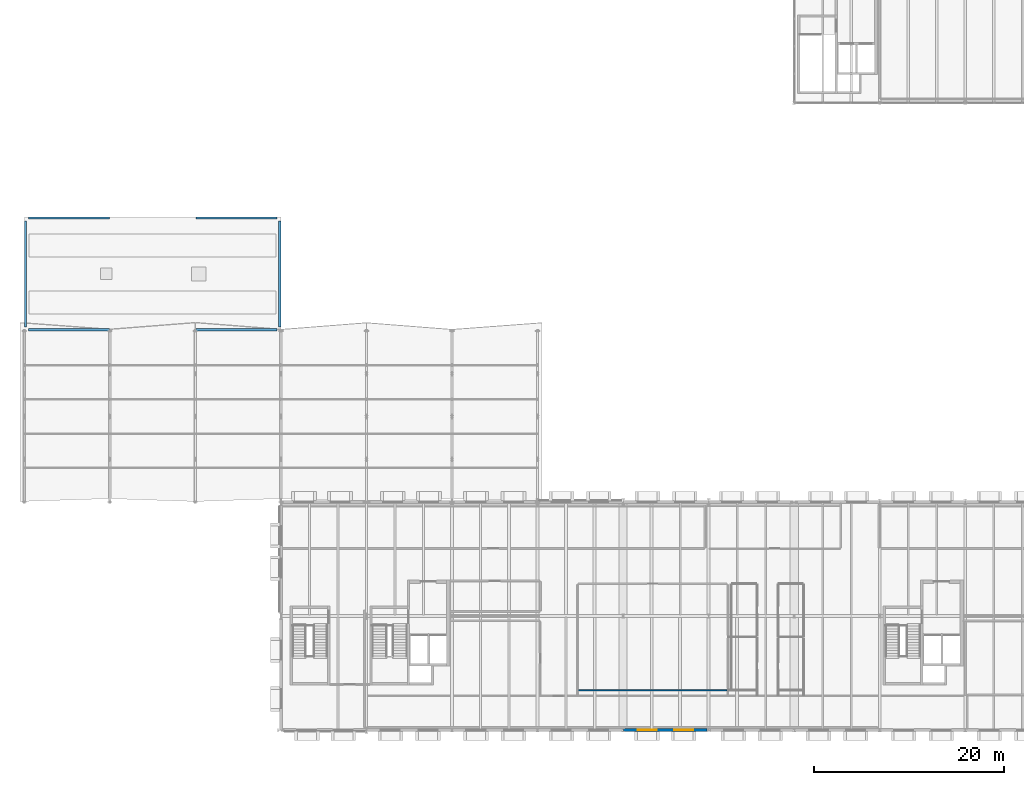
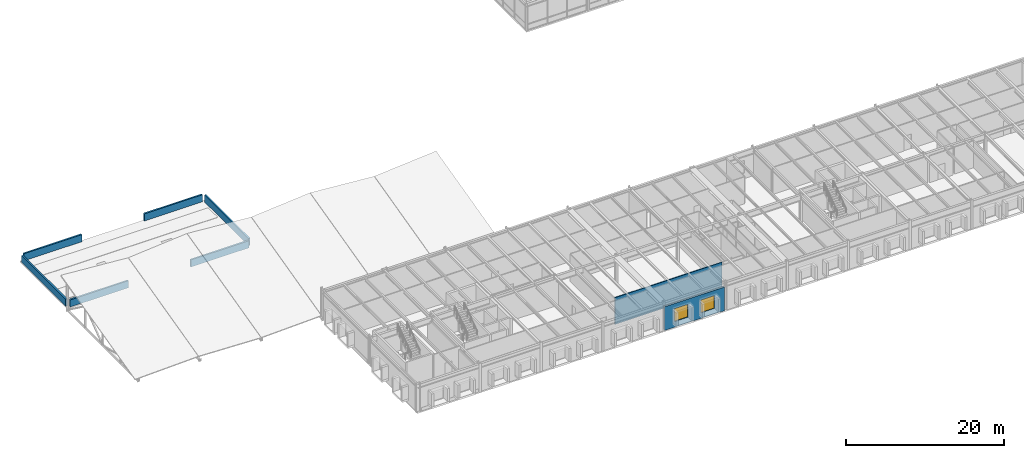
# One storey, part 56 of 67: 8 walls, 2 windows, 2 openings.
"""IFC4 building model written with IfcOpenShell, lengths in metres."""

from ifc_helpers import new_model, si_unit, direction, frame, frame_2d, origin, place, context, subcontext, project, spatial, rectangle, extrude, material, layer, layer_set, type_object, element, fill, save


model = new_model("IFC4")

# Units and contexts
model_context = context("Model", 3, precision=1e-05, world=origin(), true_north=direction((0.0, 1.0)))
body_context = subcontext(model_context, "Body", "Model", "MODEL_VIEW")
ifc_project = project(units=[si_unit("LENGTHUNIT", "METRE"), si_unit("AREAUNIT", "SQUARE_METRE"), si_unit("VOLUMEUNIT", "CUBIC_METRE"), si_unit("PLANEANGLEUNIT", "RADIAN"), si_unit("MASSUNIT", "GRAM", prefix="KILO")], contexts=[model_context])

# Site, building, storey
site_placement = place(None, origin())
site = spatial("IfcSite", under=ifc_project, at=site_placement, CompositionType="ELEMENT")
building_placement = place(site_placement, origin())
building = spatial("IfcBuilding", under=site, at=building_placement, Name="Montelvaro Courts of Justice", CompositionType="ELEMENT")
storey_placement = place(building_placement, frame((0.0, 0.0, 18.89990234375)))
storey = spatial("IfcBuildingStorey", under=building, at=storey_placement, Name="L04", CompositionType="ELEMENT", Elevation=18.89990234375)

# Wall, openings, windows
ifc_material_1 = material(Name="White mineral precast concrete C45/55", Category="concrete")
ifc_layer_1 = layer(ifc_material_1, 0.300048828125)
ifc_layer_set_1 = layer_set([ifc_layer_1], Name="White mineral precast concrete C45/55")
wall_type_1 = type_object("IfcWallType", Name="ExtWall_GFRC_300", PredefinedType="SOLIDWALL", material=ifc_layer_set_1)
wall_1_placement = place(storey_placement, frame((81.05810546875, 0.0, 0.0), z_axis=(0.0, 0.0, 1.0), x_axis=(1.0, 0.0, 0.0)))
wall_1 = element("IfcWall", 1, at=wall_1_placement, inside=storey, type_object=wall_type_1, Name="Exterior Facade Wall EW-02 (L04)", PredefinedType="SOLIDWALL", context=body_context, shape_type="SweptSolid", body=[
    extrude(rectangle(XDim=8.77392578125, YDim=0.300048828125, at=frame_2d((4.386962890625, 0.0))), origin(), (0.0, 0.0, 1.0), 3.655029296875),
])
opening_1_placement = place(wall_1_placement, frame((1.45703125, 0.0, 0.85009765625)))
opening_1 = element("IfcOpeningElement", 2, at=opening_1_placement, cuts=wall_1, Name="Opening WE-11", PredefinedType="OPENING", context=body_context, shape_type="SweptSolid", body=[
    extrude(rectangle(XDim=2.0, YDim=2.0, at=frame_2d((1.0, 1.0))), frame((0.0, 0.1650390625, 0.0), z_axis=(0.0, -1.0, 0.0), x_axis=(1.0, 0.0, 0.0)), (0.0, 0.0, 1.0), 0.329833984375),
])
opening_2_placement = place(wall_1_placement, frame((5.31689453125, 0.0, 0.85009765625)))
opening_2 = element("IfcOpeningElement", 3, at=opening_2_placement, cuts=wall_1, Name="Opening WE-11", PredefinedType="OPENING", context=body_context, shape_type="SweptSolid", body=[
    extrude(rectangle(XDim=2.0, YDim=2.0, at=frame_2d((1.0, 1.0))), frame((0.0, 0.1650390625, 0.0), z_axis=(0.0, -1.0, 0.0), x_axis=(1.0, 0.0, 0.0)), (0.0, 0.0, 1.0), 0.329833984375),
])
ifc_material_2 = material(Name="Low-E solar control double glazing", Category="glass")
window_type = type_object("IfcWindowType", Name="Win_Sq_200x200", PartitioningType="SINGLE_PANEL", PredefinedType="WINDOW", material=ifc_material_2)
window_1_placement = place(opening_1_placement, origin())
window_1 = element("IfcWindow", 4, at=window_1_placement, inside=storey, type_object=window_type, Name="Window W-L04-209", OverallHeight=2.0, OverallWidth=2.0, PartitioningType="SINGLE_PANEL", PredefinedType="WINDOW", context=body_context, shape_type="SweptSolid", body=[
    extrude(rectangle(XDim=2.0, YDim=2.0, at=frame_2d((1.0, 1.0))), frame((0.0, 0.030029296875, 0.0), z_axis=(0.0, -1.0, 0.0), x_axis=(1.0, 0.0, 0.0)), (0.0, 0.0, 1.0), 0.06005859375),
])
fill(opening_1, window_1)
window_2_placement = place(opening_2_placement, origin())
window_2 = element("IfcWindow", 5, at=window_2_placement, inside=storey, type_object=window_type, Name="Window W-L04-210", OverallHeight=2.0, OverallWidth=2.0, PartitioningType="SINGLE_PANEL", PredefinedType="WINDOW", context=body_context, shape_type="SweptSolid", body=[
    extrude(rectangle(XDim=2.0, YDim=2.0, at=frame_2d((1.0, 1.0))), frame((0.0, 0.030029296875, 0.0), z_axis=(0.0, -1.0, 0.0), x_axis=(1.0, 0.0, 0.0)), (0.0, 0.0, 1.0), 0.06005859375),
])
fill(opening_2, window_2)

# Walls
ifc_material_3 = material(Name="Gypsum board on metal stud")
ifc_layer_2 = layer(ifc_material_3, 0.1201171875)
ifc_layer_set_2 = layer_set([ifc_layer_2], Name="Gypsum board on metal stud")
wall_type_2 = type_object("IfcWallType", Name="OfficePartition_120", PredefinedType="PARTITIONING", material=ifc_layer_set_2)
wall_2_placement = place(storey_placement, frame((91.945068359375, 4.199951171875, 0.0), z_axis=(0.0, 0.0, 1.0), x_axis=(-1.0, 0.0, 0.0)))
element("IfcWall", 6, at=wall_2_placement, inside=storey, type_object=wall_type_2, Name="Interior Partition IW-05 (L04)", PredefinedType="PARTITIONING", context=body_context, shape_type="SweptSolid", body=[
    extrude(rectangle(XDim=15.690185546875, YDim=0.1201171875, at=frame_2d((7.84521484375, 0.0))), origin(), (0.0, 0.0, 1.0), 4.14013671875),
])
ifc_layer_3 = layer(ifc_material_1, 0.239990234375)
ifc_layer_set_3 = layer_set([ifc_layer_3], Name="White mineral precast concrete C45/55")
wall_type_3 = type_object("IfcWallType", Name="ParapetWall_240", PredefinedType="PARAPET", material=ifc_layer_set_3)
wall_3_placement = place(storey_placement, frame((18.1201171875, 42.419921875, 0.0), z_axis=(0.0, 0.0, 1.0), x_axis=(0.0, 1.0, 0.0)))
element("IfcWall", 7, at=wall_3_placement, inside=storey, type_object=wall_type_3, Name="Roof Parapet PW-01 L04-036", PredefinedType="PARAPET", context=body_context, shape_type="SweptSolid", body=[
    extrude(rectangle(XDim=11.16015625, YDim=0.239990234375, at=frame_2d((5.580078125, 0.0))), origin(), (0.0, 0.0, 1.0), 1.10009765625),
])
for number, where, z_axis, x_axis, name in (
    (8, (18.419921875, 53.8798828125, 0.0), (0.0, 0.0, 1.0), (1.0, 0.0, 0.0), "Roof Parapet PW-01 L04-037"),
    (9, (36.06005859375, 53.8798828125, 0.0), (0.0, 0.0, 1.0), (1.0, 0.0, 0.0), "Roof Parapet PW-01 L04-038"),
):
    element("IfcWall", number, at=place(storey_placement, frame(where, z_axis=z_axis, x_axis=x_axis)), inside=storey, type_object=wall_type_3, Name=name, PredefinedType="PARAPET", context=body_context, shape_type="SweptSolid", body=[
        extrude(rectangle(XDim=8.52001953125, YDim=0.239990234375, at=frame_2d((4.260009765625, 0.0))), origin(), (0.0, 0.0, 1.0), 1.10009765625),
    ])
wall_4_placement = place(storey_placement, frame((44.8798828125, 42.419921875, 0.0), z_axis=(0.0, 0.0, 1.0), x_axis=(0.0, 1.0, 0.0)))
element("IfcWall", 10, at=wall_4_placement, inside=storey, type_object=wall_type_3, Name="Roof Parapet PW-01 L04-039", PredefinedType="PARAPET", context=body_context, shape_type="SweptSolid", body=[
    extrude(rectangle(XDim=11.16015625, YDim=0.239990234375, at=frame_2d((5.580078125, 0.0))), origin(), (0.0, 0.0, 1.0), 1.10009765625),
])
for number, where, z_axis, x_axis, name in (
    (11, (18.419921875, 42.1201171875, 0.0), (0.0, 0.0, 1.0), (1.0, 0.0, 0.0), "Roof Parapet PW-01 L04-040"),
    (12, (36.06005859375, 42.1201171875, 0.0), (0.0, 0.0, 1.0), (1.0, 0.0, 0.0), "Roof Parapet PW-01 L04-041"),
):
    element("IfcWall", number, at=place(storey_placement, frame(where, z_axis=z_axis, x_axis=x_axis)), inside=storey, type_object=wall_type_3, Name=name, PredefinedType="PARAPET", context=body_context, shape_type="SweptSolid", body=[
        extrude(rectangle(XDim=8.52001953125, YDim=0.239990234375, at=frame_2d((4.260009765625, 0.0))), origin(), (0.0, 0.0, 1.0), 1.10009765625),
    ])

save(model, "model.ifc")
